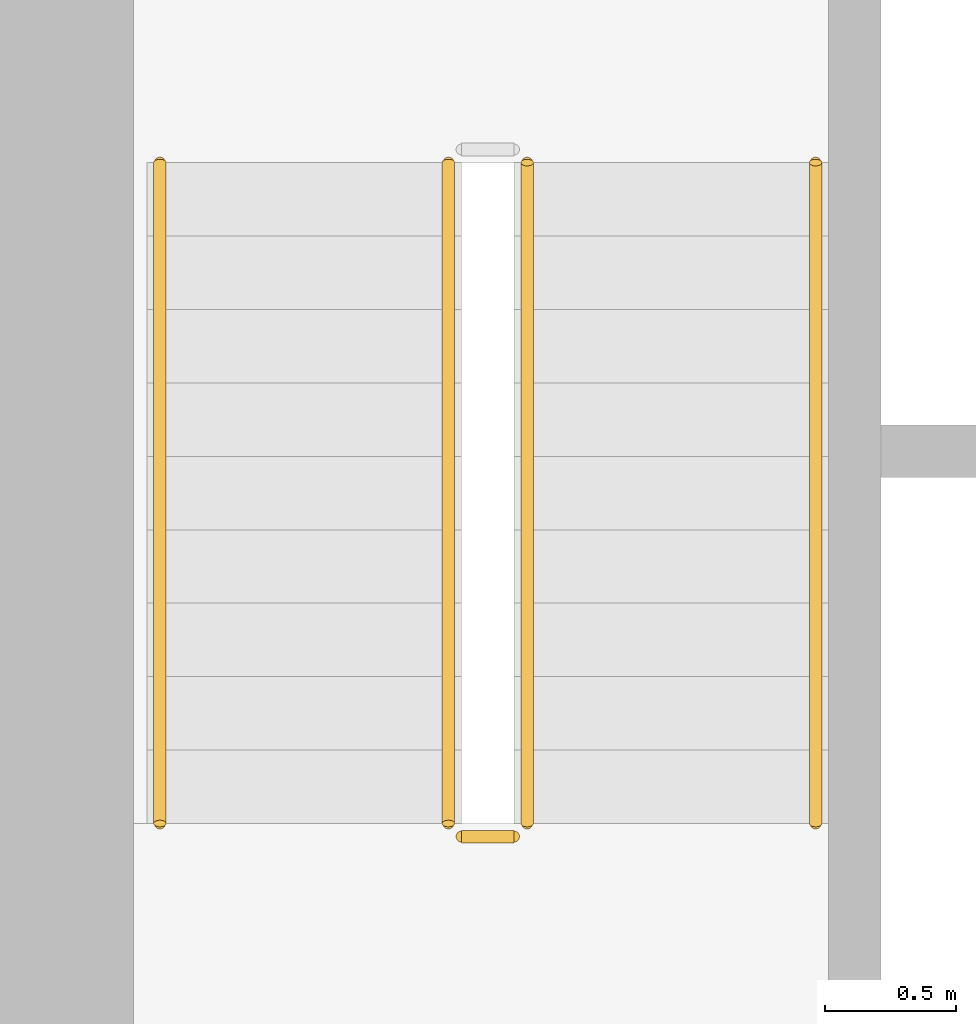
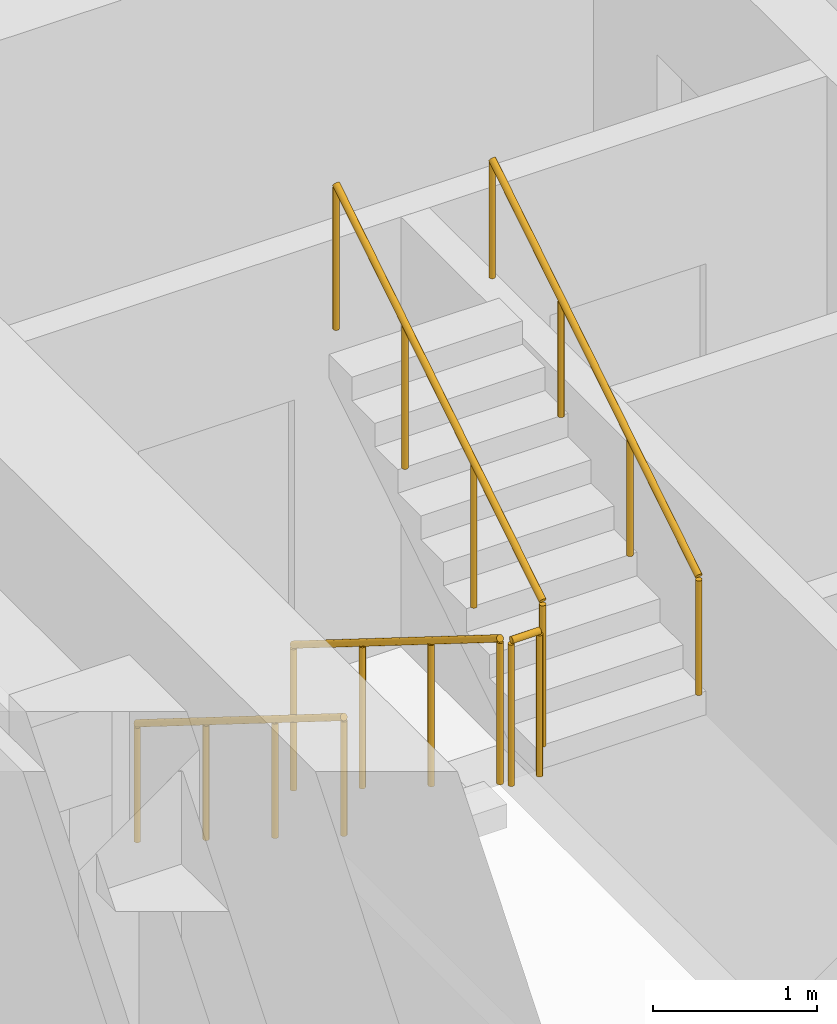
# One storey, part 14 of 21: 5 railings.
"""IFC4 building model written with IfcOpenShell, lengths in metres."""

from ifc_helpers import new_model, si_unit, direction, frame, origin, origin_2d, place, context, subcontext, project, spatial, circle, extrude, material, type_object, element, save


model = new_model("IFC4")

# Units and contexts
model_context = context("Model", 3, precision=1e-05, world=origin(), true_north=direction((0.0, 1.0)))
body_context = subcontext(model_context, "Body", "Model", "MODEL_VIEW")
ifc_project = project(units=[si_unit("LENGTHUNIT", "METRE"), si_unit("AREAUNIT", "SQUARE_METRE"), si_unit("VOLUMEUNIT", "CUBIC_METRE"), si_unit("PLANEANGLEUNIT", "RADIAN"), si_unit("MASSUNIT", "GRAM", prefix="KILO")], contexts=[model_context])

# Site, building, storey
site_placement = place(None, origin())
site = spatial("IfcSite", under=ifc_project, at=site_placement, CompositionType="ELEMENT")
building_placement = place(site_placement, origin())
building = spatial("IfcBuilding", under=site, at=building_placement, Name="Kiln Ring Residences", CompositionType="ELEMENT")
storey_placement = place(building_placement, frame((0.0, 0.0, 213.39990234375)))
storey = spatial("IfcBuildingStorey", under=building, at=storey_placement, Name="L55", CompositionType="ELEMENT", Elevation=213.39990234375)

# Railings
ifc_material_1 = material(Name="Stainless steel", Category="steel")
railing_type_1 = type_object("IfcRailingType", Name="CORE-STAIR-GUARD", PredefinedType="GUARDRAIL", material=ifc_material_1)
railing_1_placement = place(storey_placement, frame((-22.25, 8.39990234375, 0.175048828125)))
element("IfcRailing", 1, at=railing_1_placement, inside=storey, type_object=railing_type_1, Name="L55 W-STN stair guard 1", PredefinedType="GUARDRAIL", context=body_context, shape_type="SweptSolid", body=[
    extrude(circle(Radius=0.02392578125, at=origin_2d()), frame((0.0, 0.0, 1.076171875), z_axis=(0.0, -0.848007534815, 0.529984170421), x_axis=(1.0, 0.0, 0.0)), (0.0, 0.0, 1.0), 2.9716796875),
    extrude(circle(Radius=0.02099609375, at=origin_2d()), origin(), (0.0, 0.0, 1.0), 1.052001953125),
    extrude(circle(Radius=0.02099609375, at=origin_2d()), frame((0.0, -0.840087890625, 0.52490234375)), (0.0, 0.0, 1.0), 1.052001953125),
    extrude(circle(Radius=0.02099609375, at=origin_2d()), frame((0.0, -1.679931640625, 1.050048828125)), (0.0, 0.0, 1.0), 1.052001953125),
    extrude(circle(Radius=0.02099609375, at=origin_2d()), frame((0.0, -2.52001953125, 1.574951171875)), (0.0, 0.0, 1.0), 1.052001953125),
])
railing_2_placement = place(storey_placement, frame((-22.199951171875, 5.830078125, 1.75)))
element("IfcRailing", 2, at=railing_2_placement, inside=storey, type_object=railing_type_1, Name="L55 W-STN stair guard 2", PredefinedType="GUARDRAIL", context=body_context, shape_type="SweptSolid", body=[
    extrude(circle(Radius=0.02392578125, at=origin_2d()), frame((0.0, 0.0, 1.076171875), z_axis=(1.0, 0.0, 0.0), x_axis=(0.0, 1.0, 0.0)), (0.0, 0.0, 1.0), 0.199951171875),
    extrude(circle(Radius=0.02099609375, at=origin_2d()), origin(), (0.0, 0.0, 1.0), 1.052001953125),
    extrude(circle(Radius=0.02099609375, at=origin_2d()), frame((0.199951171875, 0.0, 0.0)), (0.0, 0.0, 1.0), 1.052001953125),
])
railing_3_placement = place(storey_placement, frame((-21.949951171875, 5.8798828125, 1.925048828125)))
element("IfcRailing", 3, at=railing_3_placement, inside=storey, type_object=railing_type_1, Name="L55 W-STN stair guard 3", PredefinedType="GUARDRAIL", context=body_context, shape_type="SweptSolid", body=[
    extrude(circle(Radius=0.02392578125, at=origin_2d()), frame((0.0, 0.0, 1.076171875), z_axis=(0.0, 0.848007534815, 0.529984170421), x_axis=(-1.0, 0.0, 0.0)), (0.0, 0.0, 1.0), 2.9716796875),
    extrude(circle(Radius=0.02099609375, at=origin_2d()), origin(), (0.0, 0.0, 1.0), 1.052001953125),
    extrude(circle(Radius=0.02099609375, at=origin_2d()), frame((0.0, 0.840087890625, 0.52490234375)), (0.0, 0.0, 1.0), 1.052001953125),
    extrude(circle(Radius=0.02099609375, at=origin_2d()), frame((0.0, 1.679931640625, 1.050048828125)), (0.0, 0.0, 1.0), 1.052001953125),
    extrude(circle(Radius=0.02099609375, at=origin_2d()), frame((0.0, 2.52001953125, 1.574951171875)), (0.0, 0.0, 1.0), 1.052001953125),
])
ifc_material_2 = material(Name="Stainless steel", Category="steel")
railing_type_2 = type_object("IfcRailingType", Name="CORE-STAIR-HANDRAIL", PredefinedType="HANDRAIL", material=ifc_material_2)
railing_4_placement = place(storey_placement, frame((-23.35009765625, 8.39990234375, 0.175048828125)))
element("IfcRailing", 4, at=railing_4_placement, inside=storey, type_object=railing_type_2, Name="L55 W-STN stair handrail 1", PredefinedType="HANDRAIL", context=body_context, shape_type="SweptSolid", body=[
    extrude(circle(Radius=0.02392578125, at=origin_2d()), frame((0.0, 0.0, 0.8759765625), z_axis=(0.0, -0.848007534815, 0.529984170421), x_axis=(1.0, 0.0, 0.0)), (0.0, 0.0, 1.0), 2.9716796875),
    extrude(circle(Radius=0.02099609375, at=origin_2d()), origin(), (0.0, 0.0, 1.0), 0.851806640625),
    extrude(circle(Radius=0.02099609375, at=origin_2d()), frame((0.0, -0.840087890625, 0.52490234375)), (0.0, 0.0, 1.0), 0.851806640625),
    extrude(circle(Radius=0.02099609375, at=origin_2d()), frame((0.0, -1.679931640625, 1.050048828125)), (0.0, 0.0, 1.0), 0.851806640625),
    extrude(circle(Radius=0.02099609375, at=origin_2d()), frame((0.0, -2.52001953125, 1.574951171875)), (0.0, 0.0, 1.0), 0.851806640625),
])
railing_5_placement = place(storey_placement, frame((-20.85009765625, 5.8798828125, 1.925048828125)))
element("IfcRailing", 5, at=railing_5_placement, inside=storey, type_object=railing_type_2, Name="L55 W-STN stair handrail 2", PredefinedType="HANDRAIL", context=body_context, shape_type="SweptSolid", body=[
    extrude(circle(Radius=0.02392578125, at=origin_2d()), frame((0.0, 0.0, 0.8759765625), z_axis=(0.0, 0.848007534815, 0.529984170421), x_axis=(-1.0, 0.0, 0.0)), (0.0, 0.0, 1.0), 2.9716796875),
    extrude(circle(Radius=0.02099609375, at=origin_2d()), origin(), (0.0, 0.0, 1.0), 0.851806640625),
    extrude(circle(Radius=0.02099609375, at=origin_2d()), frame((0.0, 0.840087890625, 0.52490234375)), (0.0, 0.0, 1.0), 0.851806640625),
    extrude(circle(Radius=0.02099609375, at=origin_2d()), frame((0.0, 1.679931640625, 1.050048828125)), (0.0, 0.0, 1.0), 0.851806640625),
    extrude(circle(Radius=0.02099609375, at=origin_2d()), frame((0.0, 2.52001953125, 1.574951171875)), (0.0, 0.0, 1.0), 0.851806640625),
])

save(model, "model.ifc")
